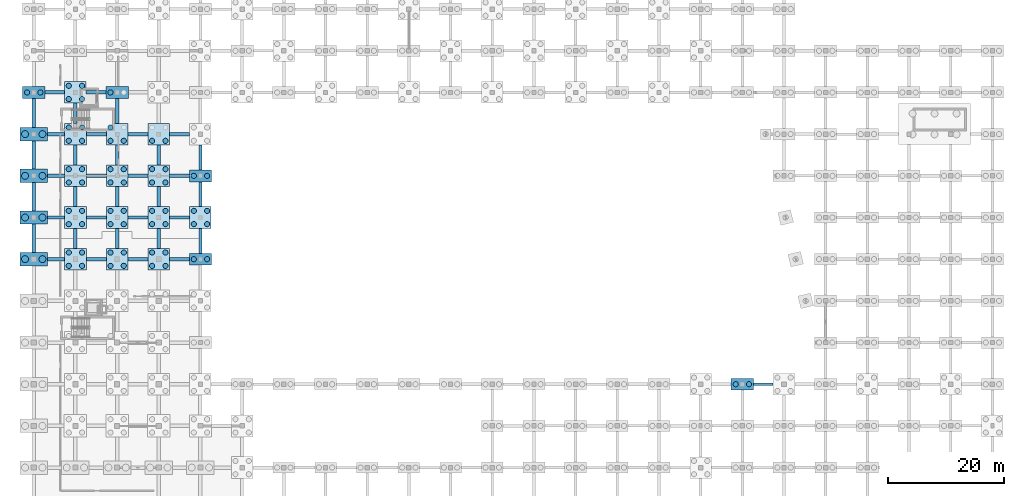
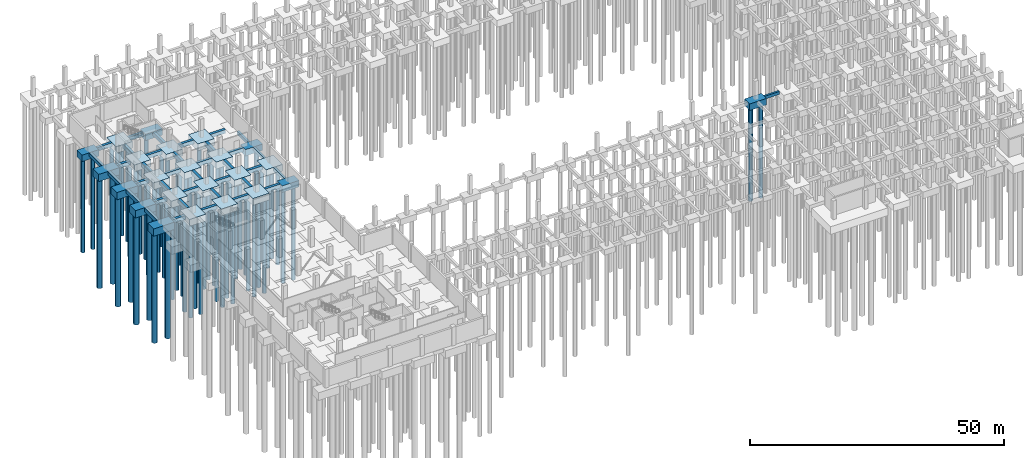
# One storey, part 6 of 36: 70 piles, 60 footings.
"""IFC4 building model written with IfcOpenShell, lengths in metres."""

from ifc_helpers import new_model, si_unit, direction, frame, origin, origin_2d, place, context, subcontext, project, spatial, rectangle, circle, extrude, material, material_profile, profile_set, type_object, element, save


model = new_model("IFC4")

# Units and contexts
model_context = context("Model", 3, precision=1e-05, world=origin(), true_north=direction((0.0, 1.0)))
body_context = subcontext(model_context, "Body", "Model", "MODEL_VIEW")
ifc_project = project(units=[si_unit("LENGTHUNIT", "METRE"), si_unit("AREAUNIT", "SQUARE_METRE"), si_unit("VOLUMEUNIT", "CUBIC_METRE"), si_unit("PLANEANGLEUNIT", "RADIAN"), si_unit("MASSUNIT", "GRAM", prefix="KILO")], contexts=[model_context])

# Site, building, storey
site_placement = place(None, origin())
site = spatial("IfcSite", under=ifc_project, at=site_placement, CompositionType="ELEMENT")
building_placement = place(site_placement, origin())
building = spatial("IfcBuilding", under=site, at=building_placement, Name="Kalmorath City Hall", CompositionType="ELEMENT")
storey_placement = place(building_placement, frame((0.0, 0.0, -4.5)))
storey = spatial("IfcBuildingStorey", under=building, at=storey_placement, Name="B1", CompositionType="ELEMENT", Elevation=-4.5)

# Piles
ifc_material_1 = material(Name="Concrete C40/50", Category="concrete")
ifc_material_profile_1 = material_profile(ifc_material_1, circle(Radius=0.60009765625, at=origin_2d()), Name="PILE-D1200")
ifc_profile_set_1 = profile_set([ifc_material_profile_1], Name="Concrete C40/50")
pile_type_1 = type_object("IfcPileType", Name="Bored concrete pile D1200", PredefinedType="BORED", material=ifc_profile_set_1)
for number, where, z_axis, x_axis, name in (
    (1, (-1.5, 64.800048828125, -1.64990234375), (0.0, 0.0, -1.0), (1.0, 0.0, 0.0), "Bored pile PL-1200 1.10.1"),
    (2, (1.5, 64.800048828125, -1.64990234375), (0.0, 0.0, -1.0), (1.0, 0.0, 0.0), "Bored pile PL-1200 1.10.2"),
    (3, (-1.5, 72.0, -1.64990234375), (0.0, 0.0, -1.0), (1.0, 0.0, 0.0), "Bored pile PL-1200 1.11.1"),
    (4, (1.5, 72.0, -1.64990234375), (0.0, 0.0, -1.0), (1.0, 0.0, 0.0), "Bored pile PL-1200 1.11.2"),
    (5, (-1.5, 79.199951171875, -1.64990234375), (0.0, 0.0, -1.0), (1.0, 0.0, 0.0), "Bored pile PL-1200 1.12.1"),
    (6, (1.5, 79.199951171875, -1.64990234375), (0.0, 0.0, -1.0), (1.0, 0.0, 0.0), "Bored pile PL-1200 1.12.2"),
    (7, (-1.5, 86.39990234375, -1.64990234375), (0.0, 0.0, -1.0), (1.0, 0.0, 0.0), "Bored pile PL-1200 1.13.1"),
    (8, (1.5, 86.39990234375, -1.64990234375), (0.0, 0.0, -1.0), (1.0, 0.0, 0.0), "Bored pile PL-1200 1.13.2"),
):
    element("IfcPile", number, at=place(storey_placement, frame(where, z_axis=z_axis, x_axis=x_axis)), inside=storey, type_object=pile_type_1, Name=name, PredefinedType="BORED", context=body_context, shape_type="SweptSolid", body=[
        extrude(circle(Radius=0.60009765625, at=origin_2d()), origin(), (0.0, 0.0, 1.0), 26.35009765625),
    ])
ifc_material_2 = material(Name="Concrete C40/50", Category="concrete")
ifc_material_profile_2 = material_profile(ifc_material_2, circle(Radius=0.449951171875, at=origin_2d()), Name="PILE-D900")
ifc_profile_set_2 = profile_set([ifc_material_profile_2], Name="Concrete C40/50")
pile_type_2 = type_object("IfcPileType", Name="Bored concrete pile D900", PredefinedType="BORED", material=ifc_profile_set_2)
for number, where, z_axis, x_axis, name in (
    (9, (-1.14990234375, 93.60009765625, -1.449951171875), (0.0, 0.0, -1.0), (1.0, 0.0, 0.0), "Bored pile PL-900 1.14.1"),
    (10, (1.14990234375, 93.60009765625, -1.449951171875), (0.0, 0.0, -1.0), (1.0, 0.0, 0.0), "Bored pile PL-900 1.14.2"),
):
    element("IfcPile", number, at=place(storey_placement, frame(where, z_axis=z_axis, x_axis=x_axis)), inside=storey, type_object=pile_type_2, Name=name, PredefinedType="BORED", context=body_context, shape_type="SweptSolid", body=[
        extrude(circle(Radius=0.449951171875, at=origin_2d()), origin(), (0.0, 0.0, 1.0), 22.550048828125),
    ])
for number, where, z_axis, x_axis, name in (
    (11, (6.050048828125, 63.64990234375, -1.550048828125), (0.0, 0.0, -1.0), (1.0, 0.0, 0.0), "Bored pile PL-900 2.10.1"),
    (12, (8.35009765625, 63.64990234375, -1.550048828125), (0.0, 0.0, -1.0), (1.0, 0.0, 0.0), "Bored pile PL-900 2.10.2"),
    (13, (6.050048828125, 65.949951171875, -1.550048828125), (0.0, 0.0, -1.0), (1.0, 0.0, 0.0), "Bored pile PL-900 2.10.3"),
    (14, (8.35009765625, 65.949951171875, -1.550048828125), (0.0, 0.0, -1.0), (1.0, 0.0, 0.0), "Bored pile PL-900 2.10.4"),
    (15, (6.050048828125, 70.85009765625, -1.550048828125), (0.0, 0.0, -1.0), (1.0, 0.0, 0.0), "Bored pile PL-900 2.11.1"),
    (16, (8.35009765625, 70.85009765625, -1.550048828125), (0.0, 0.0, -1.0), (1.0, 0.0, 0.0), "Bored pile PL-900 2.11.2"),
    (17, (6.050048828125, 73.14990234375, -1.550048828125), (0.0, 0.0, -1.0), (1.0, 0.0, 0.0), "Bored pile PL-900 2.11.3"),
    (18, (8.35009765625, 73.14990234375, -1.550048828125), (0.0, 0.0, -1.0), (1.0, 0.0, 0.0), "Bored pile PL-900 2.11.4"),
    (19, (6.050048828125, 78.050048828125, -1.550048828125), (0.0, 0.0, -1.0), (1.0, 0.0, 0.0), "Bored pile PL-900 2.12.1"),
    (20, (8.35009765625, 78.050048828125, -1.550048828125), (0.0, 0.0, -1.0), (1.0, 0.0, 0.0), "Bored pile PL-900 2.12.2"),
    (21, (6.050048828125, 80.35009765625, -1.550048828125), (0.0, 0.0, -1.0), (1.0, 0.0, 0.0), "Bored pile PL-900 2.12.3"),
    (22, (8.35009765625, 80.35009765625, -1.550048828125), (0.0, 0.0, -1.0), (1.0, 0.0, 0.0), "Bored pile PL-900 2.12.4"),
    (23, (6.050048828125, 85.25, -1.550048828125), (0.0, 0.0, -1.0), (1.0, 0.0, 0.0), "Bored pile PL-900 2.13.1"),
    (24, (8.35009765625, 85.25, -1.550048828125), (0.0, 0.0, -1.0), (1.0, 0.0, 0.0), "Bored pile PL-900 2.13.2"),
    (25, (6.050048828125, 87.550048828125, -1.550048828125), (0.0, 0.0, -1.0), (1.0, 0.0, 0.0), "Bored pile PL-900 2.13.3"),
    (26, (8.35009765625, 87.550048828125, -1.550048828125), (0.0, 0.0, -1.0), (1.0, 0.0, 0.0), "Bored pile PL-900 2.13.4"),
):
    element("IfcPile", number, at=place(storey_placement, frame(where, z_axis=z_axis, x_axis=x_axis)), inside=storey, type_object=pile_type_2, Name=name, PredefinedType="BORED", context=body_context, shape_type="SweptSolid", body=[
        extrude(circle(Radius=0.449951171875, at=origin_2d()), origin(), (0.0, 0.0, 1.0), 22.449951171875),
    ])
for number, where, z_axis, x_axis, name in (
    (27, (6.050048828125, 92.449951171875, -1.5), (0.0, 0.0, -1.0), (1.0, 0.0, 0.0), "Bored pile PL-900 2.14.1"),
    (28, (8.35009765625, 92.449951171875, -1.5), (0.0, 0.0, -1.0), (1.0, 0.0, 0.0), "Bored pile PL-900 2.14.2"),
    (29, (6.050048828125, 94.75, -1.5), (0.0, 0.0, -1.0), (1.0, 0.0, 0.0), "Bored pile PL-900 2.14.3"),
    (30, (8.35009765625, 94.75, -1.5), (0.0, 0.0, -1.0), (1.0, 0.0, 0.0), "Bored pile PL-900 2.14.4"),
):
    element("IfcPile", number, at=place(storey_placement, frame(where, z_axis=z_axis, x_axis=x_axis)), inside=storey, type_object=pile_type_2, Name=name, PredefinedType="BORED", context=body_context, shape_type="SweptSolid", body=[
        extrude(circle(Radius=0.449951171875, at=origin_2d()), origin(), (0.0, 0.0, 1.0), 22.5),
    ])
for number, where, z_axis, x_axis, name in (
    (31, (13.25, 63.64990234375, -1.550048828125), (0.0, 0.0, -1.0), (1.0, 0.0, 0.0), "Bored pile PL-900 3.10.1"),
    (32, (15.550048828125, 63.64990234375, -1.550048828125), (0.0, 0.0, -1.0), (1.0, 0.0, 0.0), "Bored pile PL-900 3.10.2"),
    (33, (13.25, 65.949951171875, -1.550048828125), (0.0, 0.0, -1.0), (1.0, 0.0, 0.0), "Bored pile PL-900 3.10.3"),
    (34, (15.550048828125, 65.949951171875, -1.550048828125), (0.0, 0.0, -1.0), (1.0, 0.0, 0.0), "Bored pile PL-900 3.10.4"),
    (35, (13.25, 70.85009765625, -1.550048828125), (0.0, 0.0, -1.0), (1.0, 0.0, 0.0), "Bored pile PL-900 3.11.1"),
    (36, (15.550048828125, 70.85009765625, -1.550048828125), (0.0, 0.0, -1.0), (1.0, 0.0, 0.0), "Bored pile PL-900 3.11.2"),
    (37, (13.25, 73.14990234375, -1.550048828125), (0.0, 0.0, -1.0), (1.0, 0.0, 0.0), "Bored pile PL-900 3.11.3"),
    (38, (15.550048828125, 73.14990234375, -1.550048828125), (0.0, 0.0, -1.0), (1.0, 0.0, 0.0), "Bored pile PL-900 3.11.4"),
    (39, (13.25, 78.050048828125, -1.550048828125), (0.0, 0.0, -1.0), (1.0, 0.0, 0.0), "Bored pile PL-900 3.12.1"),
    (40, (15.550048828125, 78.050048828125, -1.550048828125), (0.0, 0.0, -1.0), (1.0, 0.0, 0.0), "Bored pile PL-900 3.12.2"),
    (41, (13.25, 80.35009765625, -1.550048828125), (0.0, 0.0, -1.0), (1.0, 0.0, 0.0), "Bored pile PL-900 3.12.3"),
    (42, (15.550048828125, 80.35009765625, -1.550048828125), (0.0, 0.0, -1.0), (1.0, 0.0, 0.0), "Bored pile PL-900 3.12.4"),
    (43, (13.25, 85.25, -1.550048828125), (0.0, 0.0, -1.0), (1.0, 0.0, 0.0), "Bored pile PL-900 3.13.1"),
    (44, (15.550048828125, 85.25, -1.550048828125), (0.0, 0.0, -1.0), (1.0, 0.0, 0.0), "Bored pile PL-900 3.13.2"),
    (45, (13.25, 87.550048828125, -1.550048828125), (0.0, 0.0, -1.0), (1.0, 0.0, 0.0), "Bored pile PL-900 3.13.3"),
):
    element("IfcPile", number, at=place(storey_placement, frame(where, z_axis=z_axis, x_axis=x_axis)), inside=storey, type_object=pile_type_2, Name=name, PredefinedType="BORED", context=body_context, shape_type="SweptSolid", body=[
        extrude(circle(Radius=0.449951171875, at=origin_2d()), origin(), (0.0, 0.0, 1.0), 22.449951171875),
    ])
pile_placement = place(storey_placement, frame((13.25, 93.60009765625, -1.449951171875), z_axis=(0.0, 0.0, -1.0), x_axis=(1.0, 0.0, 0.0)))
element("IfcPile", 46, at=pile_placement, inside=storey, type_object=pile_type_2, Name="Bored pile PL-900 3.14.1", PredefinedType="BORED", context=body_context, shape_type="SweptSolid", body=[
    extrude(circle(Radius=0.449951171875, at=origin_2d()), origin(), (0.0, 0.0, 1.0), 22.550048828125),
])
for number, where, z_axis, x_axis, name in (
    (47, (20.449951171875, 63.64990234375, -1.550048828125), (0.0, 0.0, -1.0), (1.0, 0.0, 0.0), "Bored pile PL-900 4.10.1"),
    (48, (22.75, 63.64990234375, -1.550048828125), (0.0, 0.0, -1.0), (1.0, 0.0, 0.0), "Bored pile PL-900 4.10.2"),
    (49, (20.449951171875, 65.949951171875, -1.550048828125), (0.0, 0.0, -1.0), (1.0, 0.0, 0.0), "Bored pile PL-900 4.10.3"),
    (50, (22.75, 65.949951171875, -1.550048828125), (0.0, 0.0, -1.0), (1.0, 0.0, 0.0), "Bored pile PL-900 4.10.4"),
    (51, (20.449951171875, 70.85009765625, -1.550048828125), (0.0, 0.0, -1.0), (1.0, 0.0, 0.0), "Bored pile PL-900 4.11.1"),
    (52, (22.75, 70.85009765625, -1.550048828125), (0.0, 0.0, -1.0), (1.0, 0.0, 0.0), "Bored pile PL-900 4.11.2"),
    (53, (20.449951171875, 73.14990234375, -1.550048828125), (0.0, 0.0, -1.0), (1.0, 0.0, 0.0), "Bored pile PL-900 4.11.3"),
    (54, (22.75, 73.14990234375, -1.550048828125), (0.0, 0.0, -1.0), (1.0, 0.0, 0.0), "Bored pile PL-900 4.11.4"),
    (55, (20.449951171875, 78.050048828125, -1.550048828125), (0.0, 0.0, -1.0), (1.0, 0.0, 0.0), "Bored pile PL-900 4.12.1"),
    (56, (22.75, 78.050048828125, -1.550048828125), (0.0, 0.0, -1.0), (1.0, 0.0, 0.0), "Bored pile PL-900 4.12.2"),
    (57, (20.449951171875, 80.35009765625, -1.550048828125), (0.0, 0.0, -1.0), (1.0, 0.0, 0.0), "Bored pile PL-900 4.12.3"),
    (58, (22.75, 80.35009765625, -1.550048828125), (0.0, 0.0, -1.0), (1.0, 0.0, 0.0), "Bored pile PL-900 4.12.4"),
    (59, (20.449951171875, 85.25, -1.550048828125), (0.0, 0.0, -1.0), (1.0, 0.0, 0.0), "Bored pile PL-900 4.13.1"),
    (60, (22.75, 85.25, -1.550048828125), (0.0, 0.0, -1.0), (1.0, 0.0, 0.0), "Bored pile PL-900 4.13.2"),
):
    element("IfcPile", number, at=place(storey_placement, frame(where, z_axis=z_axis, x_axis=x_axis)), inside=storey, type_object=pile_type_2, Name=name, PredefinedType="BORED", context=body_context, shape_type="SweptSolid", body=[
        extrude(circle(Radius=0.449951171875, at=origin_2d()), origin(), (0.0, 0.0, 1.0), 22.449951171875),
    ])
for number, where, z_axis, x_axis, name in (
    (61, (27.64990234375, 64.800048828125, -1.449951171875), (0.0, 0.0, -1.0), (1.0, 0.0, 0.0), "Bored pile PL-900 5.10.1"),
    (62, (29.949951171875, 64.800048828125, -1.449951171875), (0.0, 0.0, -1.0), (1.0, 0.0, 0.0), "Bored pile PL-900 5.10.2"),
):
    element("IfcPile", number, at=place(storey_placement, frame(where, z_axis=z_axis, x_axis=x_axis)), inside=storey, type_object=pile_type_2, Name=name, PredefinedType="BORED", context=body_context, shape_type="SweptSolid", body=[
        extrude(circle(Radius=0.449951171875, at=origin_2d()), origin(), (0.0, 0.0, 1.0), 22.550048828125),
    ])
for number, where, z_axis, x_axis, name in (
    (63, (27.64990234375, 70.85009765625, -1.5), (0.0, 0.0, -1.0), (1.0, 0.0, 0.0), "Bored pile PL-900 5.11.1"),
    (64, (29.949951171875, 70.85009765625, -1.5), (0.0, 0.0, -1.0), (1.0, 0.0, 0.0), "Bored pile PL-900 5.11.2"),
    (65, (27.64990234375, 73.14990234375, -1.5), (0.0, 0.0, -1.0), (1.0, 0.0, 0.0), "Bored pile PL-900 5.11.3"),
    (66, (29.949951171875, 73.14990234375, -1.5), (0.0, 0.0, -1.0), (1.0, 0.0, 0.0), "Bored pile PL-900 5.11.4"),
):
    element("IfcPile", number, at=place(storey_placement, frame(where, z_axis=z_axis, x_axis=x_axis)), inside=storey, type_object=pile_type_2, Name=name, PredefinedType="BORED", context=body_context, shape_type="SweptSolid", body=[
        extrude(circle(Radius=0.449951171875, at=origin_2d()), origin(), (0.0, 0.0, 1.0), 22.5),
    ])
for number, where, z_axis, x_axis, name in (
    (67, (27.64990234375, 79.199951171875, -1.449951171875), (0.0, 0.0, -1.0), (1.0, 0.0, 0.0), "Bored pile PL-900 5.12.1"),
    (68, (29.949951171875, 79.199951171875, -1.449951171875), (0.0, 0.0, -1.0), (1.0, 0.0, 0.0), "Bored pile PL-900 5.12.2"),
    (69, (121.25, 43.199951171875, -1.449951171875), (0.0, 0.0, -1.0), (1.0, 0.0, 0.0), "Bored pile PL-900 18.7.1"),
    (70, (123.550048828125, 43.199951171875, -1.449951171875), (0.0, 0.0, -1.0), (1.0, 0.0, 0.0), "Bored pile PL-900 18.7.2"),
):
    element("IfcPile", number, at=place(storey_placement, frame(where, z_axis=z_axis, x_axis=x_axis)), inside=storey, type_object=pile_type_2, Name=name, PredefinedType="BORED", context=body_context, shape_type="SweptSolid", body=[
        extrude(circle(Radius=0.449951171875, at=origin_2d()), origin(), (0.0, 0.0, 1.0), 22.550048828125),
    ])

# Footings
ifc_material_3 = material(Name="Concrete C40/50", Category="concrete")
ifc_material_profile_3 = material_profile(ifc_material_3, rectangle(XDim=0.449951171875, YDim=0.699951171875, at=origin_2d()), Name="RC-BM-450X700")
ifc_profile_set_3 = profile_set([ifc_material_profile_3], Name="Concrete C40/50")
footing_type_1 = type_object("IfcFootingType", Name="Concrete ground tie beam 450x700", PredefinedType="FOOTING_BEAM", material=ifc_profile_set_3)
footing_1_placement = place(storey_placement, frame((124.324951171875, 43.199951171875, -0.35009765625), z_axis=(1.0, 0.0, 0.0), x_axis=(0.0, 1.0, 0.0)))
element("IfcFooting", 71, at=footing_1_placement, inside=storey, type_object=footing_type_1, Name="Ground tie beam GB4 X18-7", PredefinedType="FOOTING_BEAM", context=body_context, shape_type="SweptSolid", body=[
    extrude(rectangle(XDim=0.449951171875, YDim=0.699951171875, at=origin_2d()), origin(), (0.0, 0.0, 1.0), 3.4150390625),
])
ifc_material_4 = material(Name="Concrete C40/50", Category="concrete")
ifc_material_profile_4 = material_profile(ifc_material_4, rectangle(XDim=0.5, YDim=0.75, at=origin_2d()), Name="RC-BM-500X750")
ifc_profile_set_4 = profile_set([ifc_material_profile_4], Name="Concrete C40/50")
footing_type_2 = type_object("IfcFootingType", Name="Concrete ground tie beam 500x750", PredefinedType="FOOTING_BEAM", material=ifc_profile_set_4)
for number, where, z_axis, x_axis, name in (
    (72, (28.800048828125, 65.824951171875, -0.375), (0.0, 1.0, 0.0), (-1.0, 0.0, 0.0), "Ground tie beam GB3 Y5-10"),
    (73, (28.800048828125, 73.860107421875, -0.375), (0.0, 1.0, 0.0), (-1.0, 0.0, 0.0), "Ground tie beam GB3 Y5-11"),
    (74, (28.800048828125, 80.22509765625, -0.375), (0.0, 1.0, 0.0), (-1.0, 0.0, 0.0), "Ground tie beam GB3 Y5-12"),
):
    element("IfcFooting", number, at=place(storey_placement, frame(where, z_axis=z_axis, x_axis=x_axis)), inside=storey, type_object=footing_type_2, Name=name, PredefinedType="FOOTING_BEAM", context=body_context, shape_type="SweptSolid", body=[
        extrude(rectangle(XDim=0.5, YDim=0.75, at=origin_2d()), origin(), (0.0, 0.0, 1.0), 4.31494140625),
    ])
ifc_material_5 = material(Name="Concrete C40/50", Category="concrete")
ifc_material_profile_5 = material_profile(ifc_material_5, rectangle(XDim=0.60009765625, YDim=0.89990234375, at=origin_2d()), Name="RC-BM-600X900")
ifc_profile_set_5 = profile_set([ifc_material_profile_5], Name="Concrete C40/50")
footing_type_3 = type_object("IfcFootingType", Name="Concrete ground tie beam 600x900", PredefinedType="FOOTING_BEAM", material=ifc_profile_set_5)
footing_2_placement = place(storey_placement, frame((2.360107421875, 64.800048828125, -0.449951171875), z_axis=(1.0, 0.0, 0.0), x_axis=(0.0, 1.0, 0.0)))
element("IfcFooting", 75, at=footing_2_placement, inside=storey, type_object=footing_type_3, Name="Ground tie beam GB1 X1-10", PredefinedType="FOOTING_BEAM", context=body_context, shape_type="SweptSolid", body=[
    extrude(rectangle(XDim=0.60009765625, YDim=0.89990234375, at=origin_2d()), origin(), (0.0, 0.0, 1.0), 2.96484375),
])
footing_3_placement = place(storey_placement, frame((0.0, 65.949951171875, -0.449951171875), z_axis=(0.0, 1.0, 0.0), x_axis=(-1.0, 0.0, 0.0)))
element("IfcFooting", 76, at=footing_3_placement, inside=storey, type_object=footing_type_3, Name="Ground tie beam GB1 Y1-10", PredefinedType="FOOTING_BEAM", context=body_context, shape_type="SweptSolid", body=[
    extrude(rectangle(XDim=0.60009765625, YDim=0.89990234375, at=origin_2d()), origin(), (0.0, 0.0, 1.0), 4.900146484375),
])
footing_4_placement = place(storey_placement, frame((2.360107421875, 72.0, -0.449951171875), z_axis=(1.0, 0.0, 0.0), x_axis=(0.0, 1.0, 0.0)))
element("IfcFooting", 77, at=footing_4_placement, inside=storey, type_object=footing_type_3, Name="Ground tie beam GB1 X1-11", PredefinedType="FOOTING_BEAM", context=body_context, shape_type="SweptSolid", body=[
    extrude(rectangle(XDim=0.60009765625, YDim=0.89990234375, at=origin_2d()), origin(), (0.0, 0.0, 1.0), 2.96484375),
])
footing_5_placement = place(storey_placement, frame((0.0, 73.14990234375, -0.449951171875), z_axis=(0.0, 1.0, 0.0), x_axis=(-1.0, 0.0, 0.0)))
element("IfcFooting", 78, at=footing_5_placement, inside=storey, type_object=footing_type_3, Name="Ground tie beam GB1 Y1-11", PredefinedType="FOOTING_BEAM", context=body_context, shape_type="SweptSolid", body=[
    extrude(rectangle(XDim=0.60009765625, YDim=0.89990234375, at=origin_2d()), origin(), (0.0, 0.0, 1.0), 4.900146484375),
])
footing_6_placement = place(storey_placement, frame((2.360107421875, 79.199951171875, -0.449951171875), z_axis=(1.0, 0.0, 0.0), x_axis=(0.0, 1.0, 0.0)))
element("IfcFooting", 79, at=footing_6_placement, inside=storey, type_object=footing_type_3, Name="Ground tie beam GB1 X1-12", PredefinedType="FOOTING_BEAM", context=body_context, shape_type="SweptSolid", body=[
    extrude(rectangle(XDim=0.60009765625, YDim=0.89990234375, at=origin_2d()), origin(), (0.0, 0.0, 1.0), 2.96484375),
])
footing_7_placement = place(storey_placement, frame((0.0, 80.35009765625, -0.449951171875), z_axis=(0.0, 1.0, 0.0), x_axis=(-1.0, 0.0, 0.0)))
element("IfcFooting", 80, at=footing_7_placement, inside=storey, type_object=footing_type_3, Name="Ground tie beam GB1 Y1-12", PredefinedType="FOOTING_BEAM", context=body_context, shape_type="SweptSolid", body=[
    extrude(rectangle(XDim=0.60009765625, YDim=0.89990234375, at=origin_2d()), origin(), (0.0, 0.0, 1.0), 4.89990234375),
])
footing_8_placement = place(storey_placement, frame((2.360107421875, 86.39990234375, -0.449951171875), z_axis=(1.0, 0.0, 0.0), x_axis=(0.0, 1.0, 0.0)))
element("IfcFooting", 81, at=footing_8_placement, inside=storey, type_object=footing_type_3, Name="Ground tie beam GB1 X1-13", PredefinedType="FOOTING_BEAM", context=body_context, shape_type="SweptSolid", body=[
    extrude(rectangle(XDim=0.60009765625, YDim=0.89990234375, at=origin_2d()), origin(), (0.0, 0.0, 1.0), 2.96484375),
])
footing_9_placement = place(storey_placement, frame((0.0, 87.550048828125, -0.449951171875), z_axis=(0.0, 1.0, 0.0), x_axis=(-1.0, 0.0, 0.0)))
element("IfcFooting", 82, at=footing_9_placement, inside=storey, type_object=footing_type_3, Name="Ground tie beam GB1 Y1-13", PredefinedType="FOOTING_BEAM", context=body_context, shape_type="SweptSolid", body=[
    extrude(rectangle(XDim=0.60009765625, YDim=0.89990234375, at=origin_2d()), origin(), (0.0, 0.0, 1.0), 5.02490234375),
])
footing_10_placement = place(storey_placement, frame((1.925048828125, 93.60009765625, -0.449951171875), z_axis=(1.0, 0.0, 0.0), x_axis=(0.0, 1.0, 0.0)))
element("IfcFooting", 83, at=footing_10_placement, inside=storey, type_object=footing_type_3, Name="Ground tie beam GB1 X1-14", PredefinedType="FOOTING_BEAM", context=body_context, shape_type="SweptSolid", body=[
    extrude(rectangle(XDim=0.60009765625, YDim=0.89990234375, at=origin_2d()), origin(), (0.0, 0.0, 1.0), 3.4150390625),
])
for number, where, z_axis, x_axis, name in (
    (84, (9.074951171875, 64.800048828125, -0.449951171875), (1.0, 0.0, 0.0), (0.0, 1.0, 0.0), "Ground tie beam GB1 X2-10"),
    (85, (7.199951171875, 66.675048828125, -0.449951171875), (0.0, 1.0, 0.0), (-1.0, 0.0, 0.0), "Ground tie beam GB1 Y2-10"),
    (86, (9.074951171875, 72.0, -0.449951171875), (1.0, 0.0, 0.0), (0.0, 1.0, 0.0), "Ground tie beam GB1 X2-11"),
    (87, (7.199951171875, 73.875, -0.449951171875), (0.0, 1.0, 0.0), (-1.0, 0.0, 0.0), "Ground tie beam GB1 Y2-11"),
    (88, (9.074951171875, 79.199951171875, -0.449951171875), (1.0, 0.0, 0.0), (0.0, 1.0, 0.0), "Ground tie beam GB1 X2-12"),
    (89, (7.199951171875, 81.074951171875, -0.449951171875), (0.0, 1.0, 0.0), (-1.0, 0.0, 0.0), "Ground tie beam GB1 Y2-12"),
    (90, (9.074951171875, 86.39990234375, -0.449951171875), (1.0, 0.0, 0.0), (0.0, 1.0, 0.0), "Ground tie beam GB1 X2-13"),
):
    element("IfcFooting", number, at=place(storey_placement, frame(where, z_axis=z_axis, x_axis=x_axis)), inside=storey, type_object=footing_type_3, Name=name, PredefinedType="FOOTING_BEAM", context=body_context, shape_type="SweptSolid", body=[
        extrude(rectangle(XDim=0.60009765625, YDim=0.89990234375, at=origin_2d()), origin(), (0.0, 0.0, 1.0), 3.449951171875),
    ])
footing_11_placement = place(storey_placement, frame((7.199951171875, 88.27490234375, -0.449951171875), z_axis=(0.0, 1.0, 0.0), x_axis=(-1.0, 0.0, 0.0)))
element("IfcFooting", 91, at=footing_11_placement, inside=storey, type_object=footing_type_3, Name="Ground tie beam GB1 Y2-13", PredefinedType="FOOTING_BEAM", context=body_context, shape_type="SweptSolid", body=[
    extrude(rectangle(XDim=0.60009765625, YDim=0.89990234375, at=origin_2d()), origin(), (0.0, 0.0, 1.0), 3.465087890625),
])
footing_12_placement = place(storey_placement, frame((9.06005859375, 93.60009765625, -0.449951171875), z_axis=(1.0, 0.0, 0.0), x_axis=(0.0, 1.0, 0.0)))
element("IfcFooting", 92, at=footing_12_placement, inside=storey, type_object=footing_type_3, Name="Ground tie beam GB1 X2-14", PredefinedType="FOOTING_BEAM", context=body_context, shape_type="SweptSolid", body=[
    extrude(rectangle(XDim=0.60009765625, YDim=0.89990234375, at=origin_2d()), origin(), (0.0, 0.0, 1.0), 3.4150390625),
])
footing_13_placement = place(storey_placement, frame((16.27490234375, 64.800048828125, -0.449951171875), z_axis=(1.0, 0.0, 0.0), x_axis=(0.0, 1.0, 0.0)))
element("IfcFooting", 93, at=footing_13_placement, inside=storey, type_object=footing_type_3, Name="Ground tie beam GB1 X3-10", PredefinedType="FOOTING_BEAM", context=body_context, shape_type="SweptSolid", body=[
    extrude(rectangle(XDim=0.60009765625, YDim=0.89990234375, at=origin_2d()), origin(), (0.0, 0.0, 1.0), 3.4501953125),
])
footing_14_placement = place(storey_placement, frame((14.39990234375, 66.675048828125, -0.449951171875), z_axis=(0.0, 1.0, 0.0), x_axis=(-1.0, 0.0, 0.0)))
element("IfcFooting", 94, at=footing_14_placement, inside=storey, type_object=footing_type_3, Name="Ground tie beam GB1 Y3-10", PredefinedType="FOOTING_BEAM", context=body_context, shape_type="SweptSolid", body=[
    extrude(rectangle(XDim=0.60009765625, YDim=0.89990234375, at=origin_2d()), origin(), (0.0, 0.0, 1.0), 3.449951171875),
])
footing_15_placement = place(storey_placement, frame((16.27490234375, 72.0, -0.449951171875), z_axis=(1.0, 0.0, 0.0), x_axis=(0.0, 1.0, 0.0)))
element("IfcFooting", 95, at=footing_15_placement, inside=storey, type_object=footing_type_3, Name="Ground tie beam GB1 X3-11", PredefinedType="FOOTING_BEAM", context=body_context, shape_type="SweptSolid", body=[
    extrude(rectangle(XDim=0.60009765625, YDim=0.89990234375, at=origin_2d()), origin(), (0.0, 0.0, 1.0), 3.4501953125),
])
footing_16_placement = place(storey_placement, frame((14.39990234375, 73.875, -0.449951171875), z_axis=(0.0, 1.0, 0.0), x_axis=(-1.0, 0.0, 0.0)))
element("IfcFooting", 96, at=footing_16_placement, inside=storey, type_object=footing_type_3, Name="Ground tie beam GB1 Y3-11", PredefinedType="FOOTING_BEAM", context=body_context, shape_type="SweptSolid", body=[
    extrude(rectangle(XDim=0.60009765625, YDim=0.89990234375, at=origin_2d()), origin(), (0.0, 0.0, 1.0), 3.449951171875),
])
footing_17_placement = place(storey_placement, frame((16.27490234375, 79.199951171875, -0.449951171875), z_axis=(1.0, 0.0, 0.0), x_axis=(0.0, 1.0, 0.0)))
element("IfcFooting", 97, at=footing_17_placement, inside=storey, type_object=footing_type_3, Name="Ground tie beam GB1 X3-12", PredefinedType="FOOTING_BEAM", context=body_context, shape_type="SweptSolid", body=[
    extrude(rectangle(XDim=0.60009765625, YDim=0.89990234375, at=origin_2d()), origin(), (0.0, 0.0, 1.0), 3.4501953125),
])
footing_18_placement = place(storey_placement, frame((14.39990234375, 81.074951171875, -0.449951171875), z_axis=(0.0, 1.0, 0.0), x_axis=(-1.0, 0.0, 0.0)))
element("IfcFooting", 98, at=footing_18_placement, inside=storey, type_object=footing_type_3, Name="Ground tie beam GB1 Y3-12", PredefinedType="FOOTING_BEAM", context=body_context, shape_type="SweptSolid", body=[
    extrude(rectangle(XDim=0.60009765625, YDim=0.89990234375, at=origin_2d()), origin(), (0.0, 0.0, 1.0), 3.449951171875),
])
footing_19_placement = place(storey_placement, frame((16.27490234375, 86.39990234375, -0.449951171875), z_axis=(1.0, 0.0, 0.0), x_axis=(0.0, 1.0, 0.0)))
element("IfcFooting", 99, at=footing_19_placement, inside=storey, type_object=footing_type_3, Name="Ground tie beam GB1 X3-13", PredefinedType="FOOTING_BEAM", context=body_context, shape_type="SweptSolid", body=[
    extrude(rectangle(XDim=0.60009765625, YDim=0.89990234375, at=origin_2d()), origin(), (0.0, 0.0, 1.0), 3.4501953125),
])
footing_20_placement = place(storey_placement, frame((14.39990234375, 88.27490234375, -0.449951171875), z_axis=(0.0, 1.0, 0.0), x_axis=(-1.0, 0.0, 0.0)))
element("IfcFooting", 100, at=footing_20_placement, inside=storey, type_object=footing_type_3, Name="Ground tie beam GB1 Y3-13", PredefinedType="FOOTING_BEAM", context=body_context, shape_type="SweptSolid", body=[
    extrude(rectangle(XDim=0.60009765625, YDim=0.89990234375, at=origin_2d()), origin(), (0.0, 0.0, 1.0), 4.300048828125),
])
footing_21_placement = place(storey_placement, frame((23.47509765625, 64.800048828125, -0.449951171875), z_axis=(1.0, 0.0, 0.0), x_axis=(0.0, 1.0, 0.0)))
element("IfcFooting", 101, at=footing_21_placement, inside=storey, type_object=footing_type_3, Name="Ground tie beam GB1 X4-10", PredefinedType="FOOTING_BEAM", context=body_context, shape_type="SweptSolid", body=[
    extrude(rectangle(XDim=0.60009765625, YDim=0.89990234375, at=origin_2d()), origin(), (0.0, 0.0, 1.0), 3.39990234375),
])
footing_22_placement = place(storey_placement, frame((21.60009765625, 66.675048828125, -0.449951171875), z_axis=(0.0, 1.0, 0.0), x_axis=(-1.0, 0.0, 0.0)))
element("IfcFooting", 102, at=footing_22_placement, inside=storey, type_object=footing_type_3, Name="Ground tie beam GB1 Y4-10", PredefinedType="FOOTING_BEAM", context=body_context, shape_type="SweptSolid", body=[
    extrude(rectangle(XDim=0.60009765625, YDim=0.89990234375, at=origin_2d()), origin(), (0.0, 0.0, 1.0), 3.449951171875),
])
footing_23_placement = place(storey_placement, frame((23.47509765625, 72.0, -0.449951171875), z_axis=(1.0, 0.0, 0.0), x_axis=(0.0, 1.0, 0.0)))
element("IfcFooting", 103, at=footing_23_placement, inside=storey, type_object=footing_type_3, Name="Ground tie beam GB1 X4-11", PredefinedType="FOOTING_BEAM", context=body_context, shape_type="SweptSolid", body=[
    extrude(rectangle(XDim=0.60009765625, YDim=0.89990234375, at=origin_2d()), origin(), (0.0, 0.0, 1.0), 3.46484375),
])
footing_24_placement = place(storey_placement, frame((21.60009765625, 73.875, -0.449951171875), z_axis=(0.0, 1.0, 0.0), x_axis=(-1.0, 0.0, 0.0)))
element("IfcFooting", 104, at=footing_24_placement, inside=storey, type_object=footing_type_3, Name="Ground tie beam GB1 Y4-11", PredefinedType="FOOTING_BEAM", context=body_context, shape_type="SweptSolid", body=[
    extrude(rectangle(XDim=0.60009765625, YDim=0.89990234375, at=origin_2d()), origin(), (0.0, 0.0, 1.0), 3.449951171875),
])
footing_25_placement = place(storey_placement, frame((23.47509765625, 79.199951171875, -0.449951171875), z_axis=(1.0, 0.0, 0.0), x_axis=(0.0, 1.0, 0.0)))
element("IfcFooting", 105, at=footing_25_placement, inside=storey, type_object=footing_type_3, Name="Ground tie beam GB1 X4-12", PredefinedType="FOOTING_BEAM", context=body_context, shape_type="SweptSolid", body=[
    extrude(rectangle(XDim=0.60009765625, YDim=0.89990234375, at=origin_2d()), origin(), (0.0, 0.0, 1.0), 3.39990234375),
])
footing_26_placement = place(storey_placement, frame((21.60009765625, 81.074951171875, -0.449951171875), z_axis=(0.0, 1.0, 0.0), x_axis=(-1.0, 0.0, 0.0)))
element("IfcFooting", 106, at=footing_26_placement, inside=storey, type_object=footing_type_3, Name="Ground tie beam GB1 Y4-12", PredefinedType="FOOTING_BEAM", context=body_context, shape_type="SweptSolid", body=[
    extrude(rectangle(XDim=0.60009765625, YDim=0.89990234375, at=origin_2d()), origin(), (0.0, 0.0, 1.0), 3.449951171875),
])
footing_27_placement = place(storey_placement, frame((23.47509765625, 86.39990234375, -0.449951171875), z_axis=(1.0, 0.0, 0.0), x_axis=(0.0, 1.0, 0.0)))
element("IfcFooting", 107, at=footing_27_placement, inside=storey, type_object=footing_type_3, Name="Ground tie beam GB1 X4-13", PredefinedType="FOOTING_BEAM", context=body_context, shape_type="SweptSolid", body=[
    extrude(rectangle(XDim=0.60009765625, YDim=0.89990234375, at=origin_2d()), origin(), (0.0, 0.0, 1.0), 3.46484375),
])
ifc_material_6 = material(Name="Concrete C40/50", Category="concrete")
footing_type_4 = type_object("IfcFootingType", Name="Four-pile concrete cap 3720x3720x1600", PredefinedType="PILE_CAP", material=ifc_material_6)
for number, where, z_axis, x_axis, name in (
    (108, (7.199951171875, 93.60009765625, -1.60009765625), (0.0, 0.0, 1.0), (1.0, 0.0, 0.0), "Footing PC3 (2/14)"),
    (109, (28.800048828125, 72.0, -1.60009765625), (0.0, 0.0, 1.0), (1.0, 0.0, 0.0), "Footing PC3 (5/11)"),
):
    element("IfcFooting", number, at=place(storey_placement, frame(where, z_axis=z_axis, x_axis=x_axis)), inside=storey, type_object=footing_type_4, Name=name, PredefinedType="PILE_CAP", context=body_context, shape_type="SweptSolid", body=[
        extrude(rectangle(XDim=3.719970703125, YDim=3.719970703125, at=origin_2d()), origin(), (0.0, 0.0, 1.0), 1.60009765625),
    ])
ifc_material_7 = material(Name="Concrete C40/50", Category="concrete")
footing_type_5 = type_object("IfcFootingType", Name="Four-pile concrete cap 3750x3750x1650", PredefinedType="PILE_CAP", material=ifc_material_7)
for number, where, z_axis, x_axis, name in (
    (110, (7.199951171875, 64.800048828125, -1.64990234375), (0.0, 0.0, 1.0), (1.0, 0.0, 0.0), "Footing PC2 (2/10)"),
    (111, (7.199951171875, 72.0, -1.64990234375), (0.0, 0.0, 1.0), (1.0, 0.0, 0.0), "Footing PC2 (2/11)"),
    (112, (7.199951171875, 79.199951171875, -1.64990234375), (0.0, 0.0, 1.0), (1.0, 0.0, 0.0), "Footing PC2 (2/12)"),
    (113, (7.199951171875, 86.39990234375, -1.64990234375), (0.0, 0.0, 1.0), (1.0, 0.0, 0.0), "Footing PC2 (2/13)"),
    (114, (14.39990234375, 64.800048828125, -1.64990234375), (0.0, 0.0, 1.0), (1.0, 0.0, 0.0), "Footing PC2 (3/10)"),
    (115, (14.39990234375, 72.0, -1.64990234375), (0.0, 0.0, 1.0), (1.0, 0.0, 0.0), "Footing PC2 (3/11)"),
    (116, (14.39990234375, 79.199951171875, -1.64990234375), (0.0, 0.0, 1.0), (1.0, 0.0, 0.0), "Footing PC2 (3/12)"),
    (117, (14.39990234375, 86.39990234375, -1.64990234375), (0.0, 0.0, 1.0), (1.0, 0.0, 0.0), "Footing PC2 (3/13)"),
    (118, (21.60009765625, 64.800048828125, -1.64990234375), (0.0, 0.0, 1.0), (1.0, 0.0, 0.0), "Footing PC2 (4/10)"),
    (119, (21.60009765625, 72.0, -1.64990234375), (0.0, 0.0, 1.0), (1.0, 0.0, 0.0), "Footing PC2 (4/11)"),
    (120, (21.60009765625, 79.199951171875, -1.64990234375), (0.0, 0.0, 1.0), (1.0, 0.0, 0.0), "Footing PC2 (4/12)"),
    (121, (21.60009765625, 86.39990234375, -1.64990234375), (0.0, 0.0, 1.0), (1.0, 0.0, 0.0), "Footing PC2 (4/13)"),
):
    element("IfcFooting", number, at=place(storey_placement, frame(where, z_axis=z_axis, x_axis=x_axis)), inside=storey, type_object=footing_type_5, Name=name, PredefinedType="PILE_CAP", context=body_context, shape_type="SweptSolid", body=[
        extrude(rectangle(XDim=3.75, YDim=3.75, at=origin_2d()), origin(), (0.0, 0.0, 1.0), 1.64990234375),
    ])
ifc_material_8 = material(Name="Concrete C40/50", Category="concrete")
footing_type_6 = type_object("IfcFootingType", Name="Two-pile concrete cap 3850x2050x1550", PredefinedType="PILE_CAP", material=ifc_material_8)
for number, where, z_axis, x_axis, name in (
    (122, (0.0, 93.60009765625, -1.5498046875), (0.0, 0.0, 1.0), (1.0, 0.0, 0.0), "Footing PC6 (1/14)"),
    (123, (14.39990234375, 93.60009765625, -1.5498046875), (0.0, 0.0, 1.0), (1.0, 0.0, 0.0), "Footing PC6 (3/14)"),
    (124, (28.800048828125, 64.800048828125, -1.5498046875), (0.0, 0.0, 1.0), (1.0, 0.0, 0.0), "Footing PC6 (5/10)"),
    (125, (28.800048828125, 79.199951171875, -1.5498046875), (0.0, 0.0, 1.0), (1.0, 0.0, 0.0), "Footing PC6 (5/12)"),
    (126, (122.39990234375, 43.199951171875, -1.5498046875), (0.0, 0.0, 1.0), (1.0, 0.0, 0.0), "Footing PC6 (18/7)"),
):
    element("IfcFooting", number, at=place(storey_placement, frame(where, z_axis=z_axis, x_axis=x_axis)), inside=storey, type_object=footing_type_6, Name=name, PredefinedType="PILE_CAP", context=body_context, shape_type="SweptSolid", body=[
        extrude(rectangle(XDim=3.85009765625, YDim=2.050048828125, at=origin_2d()), origin(), (0.0, 0.0, 1.0), 1.550048828125),
    ])
ifc_material_9 = material(Name="Concrete C40/50", Category="concrete")
footing_type_7 = type_object("IfcFootingType", Name="Two-pile heavy concrete cap 4720x2300x1750", PredefinedType="PILE_CAP", material=ifc_material_9)
for number, where, z_axis, x_axis, name in (
    (127, (0.0, 64.800048828125, -1.75), (0.0, 0.0, 1.0), (1.0, 0.0, 0.0), "Footing PC5 (1/10)"),
    (128, (0.0, 72.0, -1.75), (0.0, 0.0, 1.0), (1.0, 0.0, 0.0), "Footing PC5 (1/11)"),
    (129, (0.0, 79.199951171875, -1.75), (0.0, 0.0, 1.0), (1.0, 0.0, 0.0), "Footing PC5 (1/12)"),
    (130, (0.0, 86.39990234375, -1.75), (0.0, 0.0, 1.0), (1.0, 0.0, 0.0), "Footing PC5 (1/13)"),
):
    element("IfcFooting", number, at=place(storey_placement, frame(where, z_axis=z_axis, x_axis=x_axis)), inside=storey, type_object=footing_type_7, Name=name, PredefinedType="PILE_CAP", context=body_context, shape_type="SweptSolid", body=[
        extrude(rectangle(XDim=4.719970703125, YDim=2.300048828125, at=origin_2d()), origin(), (0.0, 0.0, 1.0), 1.75),
    ])

save(model, "model.ifc")
